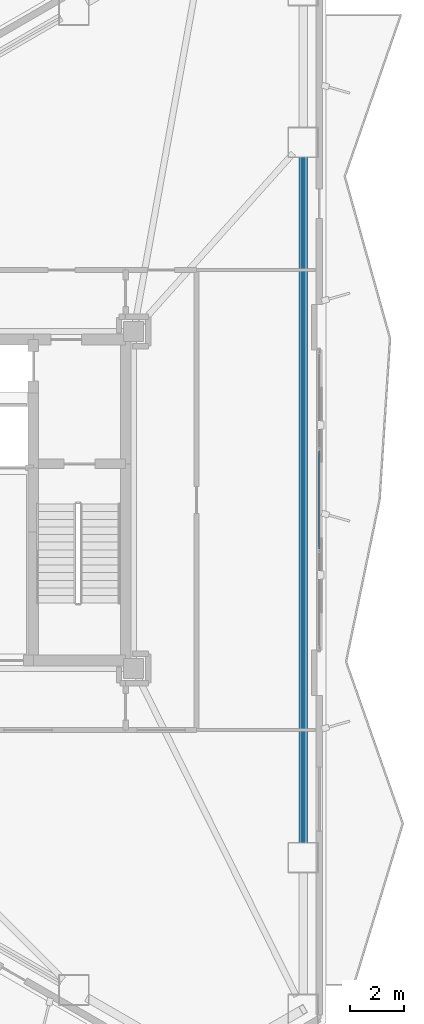
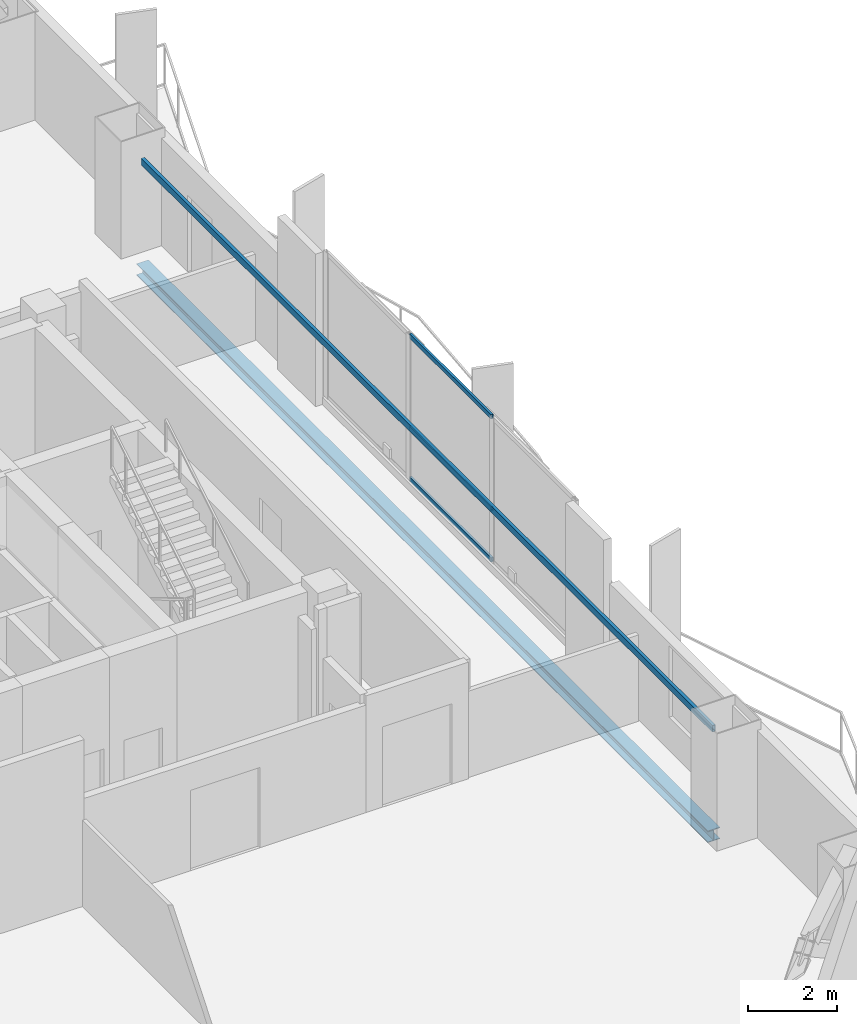
# One storey, part 8 of 20: 3 members, 2 beams, 1 element without a shape of its own.
"""IFC4 building model written with IfcOpenShell, lengths in metres."""

from ifc_helpers import new_model, si_unit, direction, frame, origin, origin_2d, place, context, subcontext, project, spatial, hollow_rectangle, i_section, extrude, material, layer, layer_set, material_profile, profile_set, type_object, element, aggregate, save


model = new_model("IFC4")

# Units and contexts
model_context = context("Model", 3, precision=1e-05, world=origin(), true_north=direction((0.0, 1.0)))
body_context = subcontext(model_context, "Body", "Model", "MODEL_VIEW")
ifc_project = project(units=[si_unit("LENGTHUNIT", "METRE"), si_unit("AREAUNIT", "SQUARE_METRE"), si_unit("VOLUMEUNIT", "CUBIC_METRE"), si_unit("PLANEANGLEUNIT", "RADIAN"), si_unit("MASSUNIT", "GRAM", prefix="KILO")], contexts=[model_context])

# Site, building, storey
site_placement = place(None, origin())
site = spatial("IfcSite", under=ifc_project, at=site_placement, CompositionType="ELEMENT")
building_placement = place(site_placement, origin())
building = spatial("IfcBuilding", under=site, at=building_placement, Name="Mersakhor Tower and Convention Hall", CompositionType="ELEMENT")
storey_placement = place(building_placement, frame((0.0, 0.0, 116.39990234375)))
storey = spatial("IfcBuildingStorey", under=building, at=storey_placement, Name="L32", CompositionType="ELEMENT", Elevation=116.39990234375)

# Beams
ifc_material_1 = material(Name="Steel S355", Category="steel")
ifc_material_profile_1 = material_profile(ifc_material_1, hollow_rectangle(XDim=0.080078125, YDim=0.179931640625, WallThickness=0.008056640625, at=origin_2d()), Name="RHS 180x80x8")
ifc_profile_set_1 = profile_set([ifc_material_profile_1], Name="Steel S355")
beam_type_1 = type_object("IfcBeamType", Name="BM-GRT-RHS180", PredefinedType="USERDEFINED", material=ifc_profile_set_1)
beam_1_placement = place(storey_placement, frame((42.4345703125, 39.566650390625, 2.47998046875), z_axis=(0.0, -1.0, 0.0), x_axis=(1.0, 0.0, 0.0)))
element("IfcBeam", 1, at=beam_1_placement, inside=storey, type_object=beam_type_1, Name="L32 Facade Support Girt GRT-F2", ObjectType="GIRT", PredefinedType="USERDEFINED", context=body_context, shape_type="SweptSolid", body=[
    extrude(hollow_rectangle(XDim=0.080078125, YDim=0.179931640625, WallThickness=0.008056640625, at=origin_2d()), origin(), (0.0, 0.0, 1.0), 25.63330078125),
])
ifc_material_2 = material(Name="Steel S355", Category="steel")
ifc_material_profile_2 = material_profile(ifc_material_2, i_section(OverallWidth=0.30908203125, OverallDepth=0.320556640625, WebThickness=0.013916015625, FlangeThickness=0.021728515625, at=origin_2d()), Name="UC 305x305x137")
ifc_profile_set_2 = profile_set([ifc_material_profile_2], Name="Steel S355")
beam_type_2 = type_object("IfcBeamType", Name="BM-SPD-UC305", PredefinedType="SPANDREL", material=ifc_profile_set_2)
beam_2_placement = place(storey_placement, frame((42.4345703125, 39.566650390625, -0.440185546875), z_axis=(0.0, -1.0, 0.0), x_axis=(1.0, 0.0, 0.0)))
element("IfcBeam", 2, at=beam_2_placement, inside=storey, type_object=beam_type_2, Name="L32 Perimeter Spandrel Beam SPB-06", PredefinedType="SPANDREL", context=body_context, shape_type="SweptSolid", body=[
    extrude(i_section(OverallWidth=0.30908203125, OverallDepth=0.320556640625, WebThickness=0.013916015625, FlangeThickness=0.021728515625, at=origin_2d()), origin(), (0.0, 0.0, 1.0), 25.63330078125),
])

# Curtain wall, members
ifc_material_3 = material(Name="Dark solar low-E aluminium curtain wall", Category="aluminium")
ifc_layer = layer(ifc_material_3, 0.199951171875)
ifc_layer_set = layer_set([ifc_layer], Name="Dark solar low-E aluminium curtain wall")
curtain_wall_type = type_object("IfcCurtainWallType", Name="CW-SYS-05", PredefinedType="USERDEFINED", material=ifc_layer_set)
curtain_wall_placement = place(storey_placement, origin())
curtain_wall = element("IfcCurtainWall", 3, at=curtain_wall_placement, inside=storey, type_object=curtain_wall_type, Name="L32 Dark-Glass Curtain Wall F2-B2", ObjectType="CURTAIN WALL", PredefinedType="USERDEFINED")
ifc_material_4 = material(Name="Anodised aluminium EN AW-6063 T6", Category="aluminium")
ifc_material_profile_3 = material_profile(ifc_material_4, hollow_rectangle(XDim=0.06005859375, YDim=0.1201171875, WallThickness=0.0048828125, at=origin_2d()), Name="RHS 120x60x5")
ifc_profile_set_3 = profile_set([ifc_material_profile_3], Name="Anodised aluminium EN AW-6063 T6")
member_type = type_object("IfcMemberType", Name="CWT-120x60", PredefinedType="USERDEFINED", material=ifc_profile_set_3)
member_1_placement = place(storey_placement, frame((43.03466796875, 28.58154296875, 0.22998046875), z_axis=(0.0, -1.0, 0.0), x_axis=(1.0, 0.0, 0.0)))
member_1 = element("IfcMember", 4, at=member_1_placement, type_object=member_type, Name="CW-05 transom 2.1", ObjectType="TRANSOM", PredefinedType="USERDEFINED", context=body_context, shape_type="SweptSolid", body=[
    extrude(hollow_rectangle(XDim=0.06005859375, YDim=0.1201171875, WallThickness=0.0048828125, at=origin_2d()), origin(), (0.0, 0.0, 1.0), 3.6630859375),
])
member_2_placement = place(storey_placement, frame((43.03466796875, 28.58154296875, 1.6201171875), z_axis=(0.0, -1.0, 0.0), x_axis=(1.0, 0.0, 0.0)))
member_2 = element("IfcMember", 5, at=member_2_placement, type_object=member_type, Name="CW-05 transom 2.2", ObjectType="TRANSOM", PredefinedType="USERDEFINED", context=body_context, shape_type="SweptSolid", body=[
    extrude(hollow_rectangle(XDim=0.06005859375, YDim=0.1201171875, WallThickness=0.0048828125, at=origin_2d()), origin(), (0.0, 0.0, 1.0), 3.6630859375),
])
member_3_placement = place(storey_placement, frame((43.03466796875, 28.58154296875, 4.150146484375), z_axis=(0.0, -1.0, 0.0), x_axis=(1.0, 0.0, 0.0)))
member_3 = element("IfcMember", 6, at=member_3_placement, type_object=member_type, Name="CW-05 transom 2.3", ObjectType="TRANSOM", PredefinedType="USERDEFINED", context=body_context, shape_type="SweptSolid", body=[
    extrude(hollow_rectangle(XDim=0.06005859375, YDim=0.1201171875, WallThickness=0.0048828125, at=origin_2d()), origin(), (0.0, 0.0, 1.0), 3.6630859375),
])
aggregate(curtain_wall, [member_1, member_2, member_3])

save(model, "model.ifc")
